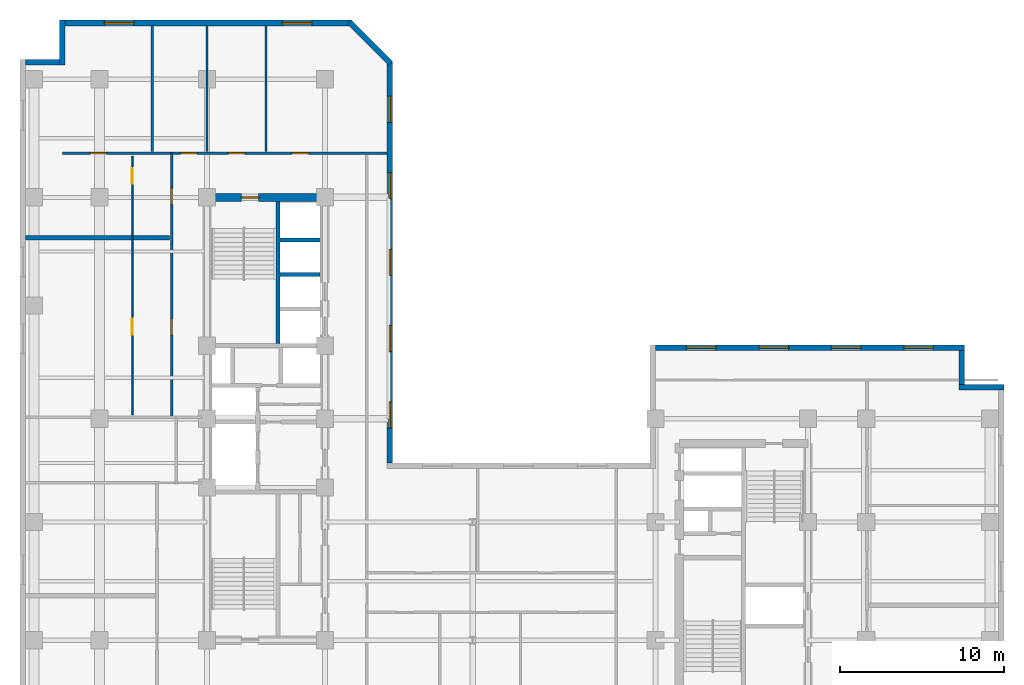
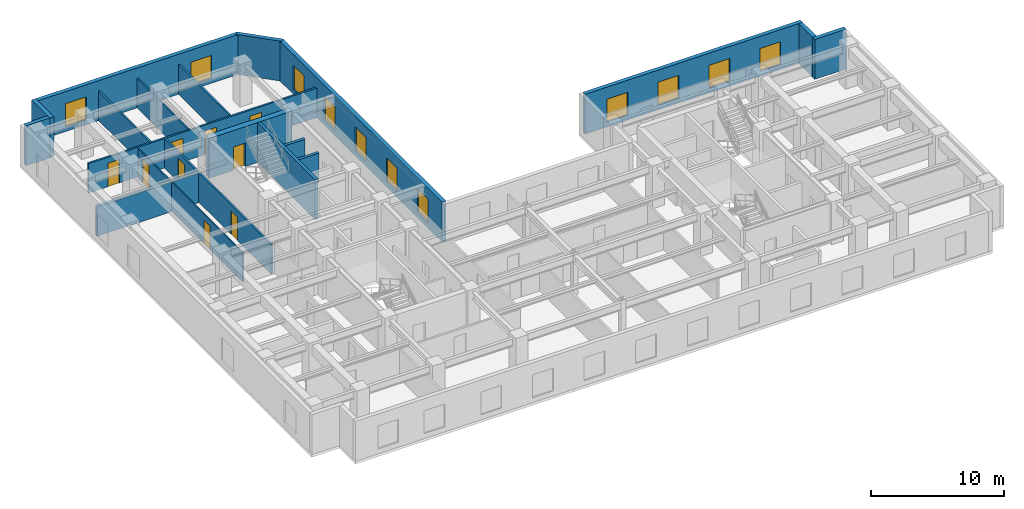
# One storey, part 6 of 10: 19 walls, 11 windows, 9 doors, 20 openings.
"""IFC4 building model written with IfcOpenShell, lengths in metres."""

from ifc_helpers import new_model, entity, si_unit, converted_unit, direction, frame, origin_with_axes, origin_2d_with_axis, place, context, subcontext, project, spatial, polyline, rectangle, outline, extrude, material, layer, layer_set, type_object, element, fill, save


model = new_model("IFC4")

# Units and contexts
model_context = context("Model", 3, precision=1e-05, world=origin_with_axes(), true_north=direction((0.0, 1.0)))
body_context = subcontext(model_context, "Body", "Model", "MODEL_VIEW")
ifc_project = project(units=[si_unit("LENGTHUNIT", "METRE"), si_unit("AREAUNIT", "SQUARE_METRE"), si_unit("VOLUMEUNIT", "CUBIC_METRE"), converted_unit("PLANEANGLEUNIT", "DEGREE", entity("IfcPlaneAngleMeasure", 0.017453292519943295), si_unit("PLANEANGLEUNIT", "RADIAN"), dimensions=[0, 0, 0, 0, 0, 0, 0]), si_unit("MASSUNIT", "GRAM", prefix="KILO"), si_unit("THERMODYNAMICTEMPERATUREUNIT", "KELVIN")], contexts=[model_context])

# Site, building, storey
site_placement = place(None, origin_with_axes())
site = spatial("IfcSite", under=ifc_project, at=site_placement, CompositionType="ELEMENT")
building_placement = place(site_placement, origin_with_axes())
building = spatial("IfcBuilding", under=site, at=building_placement, Name="Varnlund Millrace Tower", CompositionType="ELEMENT")
storey_placement = place(building_placement, frame((0.0, 0.0, 152.4), z_axis=(0.0, 0.0, 1.0), x_axis=(1.0, 0.0, 0.0)))
storey = spatial("IfcBuildingStorey", under=building, at=storey_placement, Name="L37", CompositionType="ELEMENT", Elevation=152.4)

# Wall, opening, door
ifc_material_1 = material(Name="Concrete C70/85", Category="concrete")
ifc_layer_1 = layer(ifc_material_1, 0.5, Name="Concrete C70/85")
ifc_layer_set_1 = layer_set([ifc_layer_1], Name="Concrete C70/85")
wall_type_1 = type_object("IfcWallType", Name="Type-CoreWall-Shear-500-C70", PredefinedType="SHEAR", material=ifc_layer_set_1)
wall_1_placement = place(storey_placement, frame((11.4, 37.8, 0.0), z_axis=(0.0, 0.0, 1.0), x_axis=(1.0, 0.0, 0.0)))
wall_1 = element("IfcWall", 1, at=wall_1_placement, inside=storey, type_object=wall_type_1, Name="Type-CoreWall-Shear-500-C70", PredefinedType="SHEAR", context=body_context, shape_type="SweptSolid", body=[
    extrude(outline(polyline([(0.0, -0.25), (7.2, -0.25), (7.2, 0.25), (0.0, 0.25), (0.0, -0.25)])), origin_with_axes(), (0.0, 0.0, 1.0), 3.66),
])
opening_1_placement = place(wall_1_placement, frame((2.625, 0.0, 0.0), z_axis=(0.0, 0.0, 1.0), x_axis=(1.0, 0.0, 0.0)))
opening_1 = element("IfcOpeningElement", 2, at=opening_1_placement, cuts=wall_1, Name="Opening L37:DR-STA2", PredefinedType="OPENING", context=body_context, shape_type="SweptSolid", body=[
    extrude(rectangle(XDim=1.05, YDim=0.52, at=origin_2d_with_axis()), origin_with_axes(), (0.0, 0.0, 1.0), 2.15),
])
ifc_material_2 = material(Name="Fire-rated hollow steel door", Category="steel")
door_type_1 = type_object("IfcDoorType", Name="Type-FireDoor-Stair-1050X2150", OperationType="NOTDEFINED", PredefinedType="DOOR", material=ifc_material_2)
door_1_placement = place(wall_1_placement, frame((2.625, 0.0, 0.0), z_axis=(0.0, 0.0, 1.0), x_axis=(1.0, 0.0, 0.0)))
door_1 = element("IfcDoor", 3, at=door_1_placement, inside=storey, type_object=door_type_1, Name="Type-FireDoor-Stair-1050X2150", OperationType="SINGLE_SWING_RIGHT", OverallHeight=2.15, OverallWidth=1.05, PredefinedType="DOOR", context=body_context, shape_type="SweptSolid", body=[
    extrude(rectangle(XDim=1.05, YDim=0.09, at=origin_2d_with_axis()), origin_with_axes(), (0.0, 0.0, 1.0), 2.15),
])
fill(opening_1, door_1)

# Wall, openings, windows
ifc_material_3 = material(Name="Precast concrete C50/60", Category="concrete")
ifc_layer_2 = layer(ifc_material_3, 0.34, Name="Precast concrete C50/60")
ifc_layer_set_2 = layer_set([ifc_layer_2], Name="Precast concrete C50/60")
wall_type_2 = type_object("IfcWallType", Name="Type-ExtWall-Precast-Upper-340", PredefinedType="SOLIDWALL", material=ifc_layer_set_2)
wall_2_placement = place(storey_placement, frame((38.74, 28.63, 0.0), z_axis=(0.0, 0.0, 1.0), x_axis=(1.0, 0.0, 0.0)))
wall_2 = element("IfcWall", 4, at=wall_2_placement, inside=storey, type_object=wall_type_2, Name="Type-ExtWall-Precast-Upper-340", PredefinedType="SOLIDWALL", context=body_context, shape_type="SweptSolid", body=[
    extrude(outline(polyline([(0.0, -0.17), (18.86, -0.17), (18.86, 0.17), (0.0, 0.17), (0.0, -0.17)])), origin_with_axes(), (0.0, 0.0, 1.0), 3.66),
])
opening_2_placement = place(wall_2_placement, frame((2.808, 0.0, 0.45), z_axis=(0.0, 0.0, 1.0), x_axis=(1.0, 0.0, 0.0)))
opening_2 = element("IfcOpeningElement", 5, at=opening_2_placement, cuts=wall_2, Name="Opening L37:WN-01", PredefinedType="OPENING", context=body_context, shape_type="SweptSolid", body=[
    extrude(rectangle(XDim=1.8, YDim=0.36, at=origin_2d_with_axis()), origin_with_axes(), (0.0, 0.0, 1.0), 2.1),
])
opening_3_placement = place(wall_2_placement, frame((7.222, 0.0, 0.45), z_axis=(0.0, 0.0, 1.0), x_axis=(1.0, 0.0, 0.0)))
opening_3 = element("IfcOpeningElement", 6, at=opening_3_placement, cuts=wall_2, Name="Opening L37:WN-02", PredefinedType="OPENING", context=body_context, shape_type="SweptSolid", body=[
    extrude(rectangle(XDim=1.8, YDim=0.36, at=origin_2d_with_axis()), origin_with_axes(), (0.0, 0.0, 1.0), 2.1),
])
opening_4_placement = place(wall_2_placement, frame((11.637, 0.0, 0.45), z_axis=(0.0, 0.0, 1.0), x_axis=(1.0, 0.0, 0.0)))
opening_4 = element("IfcOpeningElement", 7, at=opening_4_placement, cuts=wall_2, Name="Opening L37:WN-03", PredefinedType="OPENING", context=body_context, shape_type="SweptSolid", body=[
    extrude(rectangle(XDim=1.8, YDim=0.36, at=origin_2d_with_axis()), origin_with_axes(), (0.0, 0.0, 1.0), 2.1),
])
opening_5_placement = place(wall_2_placement, frame((16.053, 0.0, 0.45), z_axis=(0.0, 0.0, 1.0), x_axis=(1.0, 0.0, 0.0)))
opening_5 = element("IfcOpeningElement", 8, at=opening_5_placement, cuts=wall_2, Name="Opening L37:WN-04", PredefinedType="OPENING", context=body_context, shape_type="SweptSolid", body=[
    extrude(rectangle(XDim=1.8, YDim=0.36, at=origin_2d_with_axis()), origin_with_axes(), (0.0, 0.0, 1.0), 2.1),
])
ifc_material_4 = material(Name="Argon low-e triple glazing in thermally broken bronze frame", Category="glass")
window_type_1 = type_object("IfcWindowType", Name="Type-Window-Punched-1800X2100", PartitioningType="SINGLE_PANEL", PredefinedType="WINDOW", material=ifc_material_4)
window_1_placement = place(wall_2_placement, frame((2.808, 0.0, 0.45), z_axis=(0.0, 0.0, 1.0), x_axis=(1.0, 0.0, 0.0)))
window_1 = element("IfcWindow", 9, at=window_1_placement, inside=storey, type_object=window_type_1, Name="Type-Window-Punched-1800X2100", OverallHeight=2.1, OverallWidth=1.8, PredefinedType="WINDOW", context=body_context, shape_type="SweptSolid", body=[
    extrude(rectangle(XDim=1.8, YDim=0.09, at=origin_2d_with_axis()), origin_with_axes(), (0.0, 0.0, 1.0), 2.1),
])
fill(opening_2, window_1)
window_2_placement = place(wall_2_placement, frame((7.222, 0.0, 0.45), z_axis=(0.0, 0.0, 1.0), x_axis=(1.0, 0.0, 0.0)))
window_2 = element("IfcWindow", 10, at=window_2_placement, inside=storey, type_object=window_type_1, Name="Type-Window-Punched-1800X2100", OverallHeight=2.1, OverallWidth=1.8, PredefinedType="WINDOW", context=body_context, shape_type="SweptSolid", body=[
    extrude(rectangle(XDim=1.8, YDim=0.09, at=origin_2d_with_axis()), origin_with_axes(), (0.0, 0.0, 1.0), 2.1),
])
fill(opening_3, window_2)
window_3_placement = place(wall_2_placement, frame((11.637, 0.0, 0.45), z_axis=(0.0, 0.0, 1.0), x_axis=(1.0, 0.0, 0.0)))
window_3 = element("IfcWindow", 11, at=window_3_placement, inside=storey, type_object=window_type_1, Name="Type-Window-Punched-1800X2100", OverallHeight=2.1, OverallWidth=1.8, PredefinedType="WINDOW", context=body_context, shape_type="SweptSolid", body=[
    extrude(rectangle(XDim=1.8, YDim=0.09, at=origin_2d_with_axis()), origin_with_axes(), (0.0, 0.0, 1.0), 2.1),
])
fill(opening_4, window_3)
window_4_placement = place(wall_2_placement, frame((16.053, 0.0, 0.45), z_axis=(0.0, 0.0, 1.0), x_axis=(1.0, 0.0, 0.0)))
window_4 = element("IfcWindow", 12, at=window_4_placement, inside=storey, type_object=window_type_1, Name="Type-Window-Punched-1800X2100", OverallHeight=2.1, OverallWidth=1.8, PredefinedType="WINDOW", context=body_context, shape_type="SweptSolid", body=[
    extrude(rectangle(XDim=1.8, YDim=0.09, at=origin_2d_with_axis()), origin_with_axes(), (0.0, 0.0, 1.0), 2.1),
])
fill(opening_5, window_4)

# Walls
wall_3_placement = place(storey_placement, frame((57.43, 28.46, 0.0), z_axis=(0.0, 0.0, 1.0), x_axis=(0.0, -1.0, 0.0)))
element("IfcWall", 13, at=wall_3_placement, inside=storey, type_object=wall_type_2, Name="Type-ExtWall-Precast-Upper-340", PredefinedType="SOLIDWALL", context=body_context, shape_type="SweptSolid", body=[
    extrude(outline(polyline([(0.0, -0.17), (2.06, -0.17), (2.06, 0.17), (0.0, 0.17), (0.0, -0.17)])), origin_with_axes(), (0.0, 0.0, 1.0), 3.66),
])
wall_4_placement = place(storey_placement, frame((57.26, 26.23, 0.0), z_axis=(0.0, 0.0, 1.0), x_axis=(1.0, 0.0, 0.0)))
element("IfcWall", 14, at=wall_4_placement, inside=storey, type_object=wall_type_2, Name="Type-ExtWall-Precast-Upper-340", PredefinedType="SOLIDWALL", context=body_context, shape_type="SweptSolid", body=[
    extrude(outline(polyline([(0.0, -0.17), (2.74, -0.17), (2.74, 0.17), (0.0, 0.17), (0.0, -0.17)])), origin_with_axes(), (0.0, 0.0, 1.0), 3.66),
])
wall_5_placement = place(storey_placement, frame((0.34, 46.03, 0.0), z_axis=(0.0, 0.0, 1.0), x_axis=(1.0, 0.0, 0.0)))
element("IfcWall", 15, at=wall_5_placement, inside=storey, type_object=wall_type_2, Name="Type-ExtWall-Precast-Upper-340", PredefinedType="SOLIDWALL", context=body_context, shape_type="SweptSolid", body=[
    extrude(outline(polyline([(0.0, -0.17), (2.06, -0.17), (2.06, 0.17), (0.0, 0.17), (0.0, -0.17)])), origin_with_axes(), (0.0, 0.0, 1.0), 3.66),
])
wall_6_placement = place(storey_placement, frame((2.57, 45.86, 0.0), z_axis=(0.0, 0.0, 1.0), x_axis=(0.0, 1.0, 0.0)))
element("IfcWall", 16, at=wall_6_placement, inside=storey, type_object=wall_type_2, Name="Type-ExtWall-Precast-Upper-340", PredefinedType="SOLIDWALL", context=body_context, shape_type="SweptSolid", body=[
    extrude(outline(polyline([(0.0, -0.17), (2.74, -0.17), (2.74, 0.17), (0.0, 0.17), (0.0, -0.17)])), origin_with_axes(), (0.0, 0.0, 1.0), 3.66),
])

# Wall, openings, windows
wall_7_placement = place(storey_placement, frame((2.74, 48.43, 0.0), z_axis=(0.0, 0.0, 1.0), x_axis=(1.0, 0.0, 0.0)))
wall_7 = element("IfcWall", 17, at=wall_7_placement, inside=storey, type_object=wall_type_2, Name="Type-ExtWall-Precast-Upper-340", PredefinedType="SOLIDWALL", context=body_context, shape_type="SweptSolid", body=[
    extrude(outline(polyline([(0.0, -0.17), (17.467, -0.17), (17.467, 0.17), (0.0, 0.17), (0.0, -0.17)])), origin_with_axes(), (0.0, 0.0, 1.0), 3.66),
])
opening_6_placement = place(wall_7_placement, frame((3.311, 0.0, 0.45), z_axis=(0.0, 0.0, 1.0), x_axis=(1.0, 0.0, 0.0)))
opening_6 = element("IfcOpeningElement", 18, at=opening_6_placement, cuts=wall_7, Name="Opening L37:WN-25", PredefinedType="OPENING", context=body_context, shape_type="SweptSolid", body=[
    extrude(rectangle(XDim=1.8, YDim=0.36, at=origin_2d_with_axis()), origin_with_axes(), (0.0, 0.0, 1.0), 2.1),
])
opening_7_placement = place(wall_7_placement, frame((14.156, 0.0, 0.45), z_axis=(0.0, 0.0, 1.0), x_axis=(1.0, 0.0, 0.0)))
opening_7 = element("IfcOpeningElement", 19, at=opening_7_placement, cuts=wall_7, Name="Opening L37:WN-26", PredefinedType="OPENING", context=body_context, shape_type="SweptSolid", body=[
    extrude(rectangle(XDim=1.8, YDim=0.36, at=origin_2d_with_axis()), origin_with_axes(), (0.0, 0.0, 1.0), 2.1),
])
window_5_placement = place(wall_7_placement, frame((3.311, 0.0, 0.45), z_axis=(0.0, 0.0, 1.0), x_axis=(1.0, 0.0, 0.0)))
window_5 = element("IfcWindow", 20, at=window_5_placement, inside=storey, type_object=window_type_1, Name="Type-Window-Punched-1800X2100", OverallHeight=2.1, OverallWidth=1.8, PredefinedType="WINDOW", context=body_context, shape_type="SweptSolid", body=[
    extrude(rectangle(XDim=1.8, YDim=0.09, at=origin_2d_with_axis()), origin_with_axes(), (0.0, 0.0, 1.0), 2.1),
])
fill(opening_6, window_5)
window_6_placement = place(wall_7_placement, frame((14.156, 0.0, 0.45), z_axis=(0.0, 0.0, 1.0), x_axis=(1.0, 0.0, 0.0)))
window_6 = element("IfcWindow", 21, at=window_6_placement, inside=storey, type_object=window_type_1, Name="Type-Window-Punched-1800X2100", OverallHeight=2.1, OverallWidth=1.8, PredefinedType="WINDOW", context=body_context, shape_type="SweptSolid", body=[
    extrude(rectangle(XDim=1.8, YDim=0.09, at=origin_2d_with_axis()), origin_with_axes(), (0.0, 0.0, 1.0), 2.1),
])
fill(opening_7, window_6)

# Wall
wall_8_placement = place(storey_placement, frame((20.073, 48.494, 0.0), z_axis=(0.0, 0.0, 1.0), x_axis=(0.707107, -0.707107, 0.0)))
element("IfcWall", 22, at=wall_8_placement, inside=storey, type_object=wall_type_2, Name="Type-ExtWall-Precast-Upper-340", PredefinedType="SOLIDWALL", context=body_context, shape_type="SweptSolid", body=[
    extrude(outline(polyline([(0.0, -0.17), (3.583617, -0.17), (3.583617, 0.17), (0.0, 0.17), (0.0, -0.17)])), origin_with_axes(), (0.0, 0.0, 1.0), 3.66),
])

# Wall, openings, windows
wall_9_placement = place(storey_placement, frame((22.557, 46.1, 0.0), z_axis=(0.0, 0.0, 1.0), x_axis=(0.0, -1.0, 0.0)))
wall_9 = element("IfcWall", 23, at=wall_9_placement, inside=storey, type_object=wall_type_2, Name="Type-ExtWall-Precast-Upper-340", PredefinedType="SOLIDWALL", context=body_context, shape_type="SweptSolid", body=[
    extrude(outline(polyline([(0.0, -0.17), (24.5, -0.17), (24.5, 0.17), (0.0, 0.17), (0.0, -0.17)])), origin_with_axes(), (0.0, 0.0, 1.0), 3.66),
])
opening_8_placement = place(wall_9_placement, frame((2.93, 0.0, 0.45), z_axis=(0.0, 0.0, 1.0), x_axis=(1.0, 0.0, 0.0)))
opening_8 = element("IfcOpeningElement", 24, at=opening_8_placement, cuts=wall_9, Name="Opening L37:WN-27", PredefinedType="OPENING", context=body_context, shape_type="SweptSolid", body=[
    extrude(rectangle(XDim=1.6, YDim=0.36, at=origin_2d_with_axis()), origin_with_axes(), (0.0, 0.0, 1.0), 2.2),
])
opening_9_placement = place(wall_9_placement, frame((7.59, 0.0, 0.45), z_axis=(0.0, 0.0, 1.0), x_axis=(1.0, 0.0, 0.0)))
opening_9 = element("IfcOpeningElement", 25, at=opening_9_placement, cuts=wall_9, Name="Opening L37:WN-28", PredefinedType="OPENING", context=body_context, shape_type="SweptSolid", body=[
    extrude(rectangle(XDim=1.6, YDim=0.36, at=origin_2d_with_axis()), origin_with_axes(), (0.0, 0.0, 1.0), 2.2),
])
opening_10_placement = place(wall_9_placement, frame((12.25, 0.0, 0.45), z_axis=(0.0, 0.0, 1.0), x_axis=(1.0, 0.0, 0.0)))
opening_10 = element("IfcOpeningElement", 26, at=opening_10_placement, cuts=wall_9, Name="Opening L37:WN-29", PredefinedType="OPENING", context=body_context, shape_type="SweptSolid", body=[
    extrude(rectangle(XDim=1.6, YDim=0.36, at=origin_2d_with_axis()), origin_with_axes(), (0.0, 0.0, 1.0), 2.2),
])
opening_11_placement = place(wall_9_placement, frame((16.91, 0.0, 0.45), z_axis=(0.0, 0.0, 1.0), x_axis=(1.0, 0.0, 0.0)))
opening_11 = element("IfcOpeningElement", 27, at=opening_11_placement, cuts=wall_9, Name="Opening L37:WN-30", PredefinedType="OPENING", context=body_context, shape_type="SweptSolid", body=[
    extrude(rectangle(XDim=1.6, YDim=0.36, at=origin_2d_with_axis()), origin_with_axes(), (0.0, 0.0, 1.0), 2.2),
])
opening_12_placement = place(wall_9_placement, frame((21.57, 0.0, 0.45), z_axis=(0.0, 0.0, 1.0), x_axis=(1.0, 0.0, 0.0)))
opening_12 = element("IfcOpeningElement", 28, at=opening_12_placement, cuts=wall_9, Name="Opening L37:WN-31", PredefinedType="OPENING", context=body_context, shape_type="SweptSolid", body=[
    extrude(rectangle(XDim=1.6, YDim=0.36, at=origin_2d_with_axis()), origin_with_axes(), (0.0, 0.0, 1.0), 2.2),
])
window_type_2 = type_object("IfcWindowType", Name="Type-Window-Slot-1600X2200", PartitioningType="SINGLE_PANEL", PredefinedType="WINDOW", material=ifc_material_4)
window_7_placement = place(wall_9_placement, frame((2.93, 0.0, 0.45), z_axis=(0.0, 0.0, 1.0), x_axis=(1.0, 0.0, 0.0)))
window_7 = element("IfcWindow", 29, at=window_7_placement, inside=storey, type_object=window_type_2, Name="Type-Window-Slot-1600X2200", OverallHeight=2.2, OverallWidth=1.6, PredefinedType="WINDOW", context=body_context, shape_type="SweptSolid", body=[
    extrude(rectangle(XDim=1.6, YDim=0.09, at=origin_2d_with_axis()), origin_with_axes(), (0.0, 0.0, 1.0), 2.2),
])
fill(opening_8, window_7)
window_8_placement = place(wall_9_placement, frame((7.59, 0.0, 0.45), z_axis=(0.0, 0.0, 1.0), x_axis=(1.0, 0.0, 0.0)))
window_8 = element("IfcWindow", 30, at=window_8_placement, inside=storey, type_object=window_type_2, Name="Type-Window-Slot-1600X2200", OverallHeight=2.2, OverallWidth=1.6, PredefinedType="WINDOW", context=body_context, shape_type="SweptSolid", body=[
    extrude(rectangle(XDim=1.6, YDim=0.09, at=origin_2d_with_axis()), origin_with_axes(), (0.0, 0.0, 1.0), 2.2),
])
fill(opening_9, window_8)
window_9_placement = place(wall_9_placement, frame((12.25, 0.0, 0.45), z_axis=(0.0, 0.0, 1.0), x_axis=(1.0, 0.0, 0.0)))
window_9 = element("IfcWindow", 31, at=window_9_placement, inside=storey, type_object=window_type_2, Name="Type-Window-Slot-1600X2200", OverallHeight=2.2, OverallWidth=1.6, PredefinedType="WINDOW", context=body_context, shape_type="SweptSolid", body=[
    extrude(rectangle(XDim=1.6, YDim=0.09, at=origin_2d_with_axis()), origin_with_axes(), (0.0, 0.0, 1.0), 2.2),
])
fill(opening_10, window_9)
window_10_placement = place(wall_9_placement, frame((16.91, 0.0, 0.45), z_axis=(0.0, 0.0, 1.0), x_axis=(1.0, 0.0, 0.0)))
window_10 = element("IfcWindow", 32, at=window_10_placement, inside=storey, type_object=window_type_2, Name="Type-Window-Slot-1600X2200", OverallHeight=2.2, OverallWidth=1.6, PredefinedType="WINDOW", context=body_context, shape_type="SweptSolid", body=[
    extrude(rectangle(XDim=1.6, YDim=0.09, at=origin_2d_with_axis()), origin_with_axes(), (0.0, 0.0, 1.0), 2.2),
])
fill(opening_11, window_10)
window_11_placement = place(wall_9_placement, frame((21.57, 0.0, 0.45), z_axis=(0.0, 0.0, 1.0), x_axis=(1.0, 0.0, 0.0)))
window_11 = element("IfcWindow", 33, at=window_11_placement, inside=storey, type_object=window_type_2, Name="Type-Window-Slot-1600X2200", OverallHeight=2.2, OverallWidth=1.6, PredefinedType="WINDOW", context=body_context, shape_type="SweptSolid", body=[
    extrude(rectangle(XDim=1.6, YDim=0.09, at=origin_2d_with_axis()), origin_with_axes(), (0.0, 0.0, 1.0), 2.2),
])
fill(opening_12, window_11)

# Wall
ifc_material_5 = material(Name="Double-stud STC-60 conference acoustic partition", Category="gypsum")
ifc_layer_3 = layer(ifc_material_5, 0.28, Name="Double-stud STC-60 conference acoustic partition")
ifc_layer_set_3 = layer_set([ifc_layer_3], Name="Double-stud STC-60 conference acoustic partition")
wall_type_3 = type_object("IfcWallType", Name="Type-Partition-Acoustic-280", PredefinedType="PARTITIONING", material=ifc_layer_set_3)
wall_10_placement = place(storey_placement, frame((0.335, 35.34, 0.0), z_axis=(0.0, 0.0, 1.0), x_axis=(1.0, 0.0, 0.0)))
element("IfcWall", 34, at=wall_10_placement, inside=storey, type_object=wall_type_3, Name="Type-Partition-Acoustic-280", PredefinedType="PARTITIONING", context=body_context, shape_type="SweptSolid", body=[
    extrude(outline(polyline([(0.0, -0.14), (8.795, -0.14), (8.795, 0.14), (0.0, 0.14), (0.0, -0.14)])), origin_with_axes(), (0.0, 0.0, 1.0), 2.7),
])

# Wall, openings, doors
ifc_material_6 = material(Name="Fire-rated gypsum board on cold-formed steel framing", Category="steel")
ifc_layer_4 = layer(ifc_material_6, 0.16, Name="Fire-rated gypsum board on cold-formed steel framing")
ifc_layer_set_4 = layer_set([ifc_layer_4], Name="Fire-rated gypsum board on cold-formed steel framing")
wall_type_4 = type_object("IfcWallType", Name="Type-Partition-Corridor-160", PredefinedType="PARTITIONING", material=ifc_layer_set_4)
wall_11_placement = place(storey_placement, frame((2.6, 40.5, 0.0), z_axis=(0.0, 0.0, 1.0), x_axis=(1.0, 0.0, 0.0)))
wall_11 = element("IfcWall", 35, at=wall_11_placement, inside=storey, type_object=wall_type_4, Name="Type-Partition-Corridor-160", PredefinedType="PARTITIONING", context=body_context, shape_type="SweptSolid", body=[
    extrude(outline(polyline([(0.0, -0.08), (19.792, -0.08), (19.792, 0.08), (0.0, 0.08), (0.0, -0.08)])), origin_with_axes(), (0.0, 0.0, 1.0), 2.7),
])
opening_13_placement = place(wall_11_placement, frame((2.174, 0.0, 0.0), z_axis=(0.0, 0.0, 1.0), x_axis=(1.0, 0.0, 0.0)))
opening_13 = element("IfcOpeningElement", 36, at=opening_13_placement, cuts=wall_11, Name="Opening L37:DR-WAN-01", PredefinedType="OPENING", context=body_context, shape_type="SweptSolid", body=[
    extrude(rectangle(XDim=1.0, YDim=0.18, at=origin_2d_with_axis()), origin_with_axes(), (0.0, 0.0, 1.0), 2.15),
])
opening_14_placement = place(wall_11_placement, frame((7.699, 0.0, 0.0), z_axis=(0.0, 0.0, 1.0), x_axis=(1.0, 0.0, 0.0)))
opening_14 = element("IfcOpeningElement", 37, at=opening_14_placement, cuts=wall_11, Name="Opening L37:DR-WAN-02", PredefinedType="OPENING", context=body_context, shape_type="SweptSolid", body=[
    extrude(rectangle(XDim=1.0, YDim=0.18, at=origin_2d_with_axis()), origin_with_axes(), (0.0, 0.0, 1.0), 2.15),
])
opening_15_placement = place(wall_11_placement, frame((10.6005, 0.0, 0.0), z_axis=(0.0, 0.0, 1.0), x_axis=(1.0, 0.0, 0.0)))
opening_15 = element("IfcOpeningElement", 38, at=opening_15_placement, cuts=wall_11, Name="Opening L37:DR-WAN-03", PredefinedType="OPENING", context=body_context, shape_type="SweptSolid", body=[
    extrude(rectangle(XDim=1.0, YDim=0.18, at=origin_2d_with_axis()), origin_with_axes(), (0.0, 0.0, 1.0), 2.15),
])
opening_16_placement = place(wall_11_placement, frame((14.499, 0.0, 0.0), z_axis=(0.0, 0.0, 1.0), x_axis=(1.0, 0.0, 0.0)))
opening_16 = element("IfcOpeningElement", 39, at=opening_16_placement, cuts=wall_11, Name="Opening L37:DR-WAN-04", PredefinedType="OPENING", context=body_context, shape_type="SweptSolid", body=[
    extrude(rectangle(XDim=1.0, YDim=0.18, at=origin_2d_with_axis()), origin_with_axes(), (0.0, 0.0, 1.0), 2.15),
])
ifc_material_7 = material(Name="Solid-core white oak and bronze frame door")
door_type_2 = type_object("IfcDoorType", Name="Type-IntDoor-Office-1000X2150", OperationType="NOTDEFINED", PredefinedType="DOOR", material=ifc_material_7)
door_2_placement = place(wall_11_placement, frame((2.174, 0.0, 0.0), z_axis=(0.0, 0.0, 1.0), x_axis=(1.0, 0.0, 0.0)))
door_2 = element("IfcDoor", 40, at=door_2_placement, inside=storey, type_object=door_type_2, Name="Type-IntDoor-Office-1000X2150", OperationType="SINGLE_SWING_LEFT", OverallHeight=2.15, OverallWidth=1.0, PredefinedType="DOOR", context=body_context, shape_type="SweptSolid", body=[
    extrude(rectangle(XDim=1.0, YDim=0.09, at=origin_2d_with_axis()), origin_with_axes(), (0.0, 0.0, 1.0), 2.15),
])
fill(opening_13, door_2)
door_3_placement = place(wall_11_placement, frame((7.699, 0.0, 0.0), z_axis=(0.0, 0.0, 1.0), x_axis=(1.0, 0.0, 0.0)))
door_3 = element("IfcDoor", 41, at=door_3_placement, inside=storey, type_object=door_type_2, Name="Type-IntDoor-Office-1000X2150", OperationType="SINGLE_SWING_RIGHT", OverallHeight=2.15, OverallWidth=1.0, PredefinedType="DOOR", context=body_context, shape_type="SweptSolid", body=[
    extrude(rectangle(XDim=1.0, YDim=0.09, at=origin_2d_with_axis()), origin_with_axes(), (0.0, 0.0, 1.0), 2.15),
])
fill(opening_14, door_3)
door_4_placement = place(wall_11_placement, frame((10.6005, 0.0, 0.0), z_axis=(0.0, 0.0, 1.0), x_axis=(1.0, 0.0, 0.0)))
door_4 = element("IfcDoor", 42, at=door_4_placement, inside=storey, type_object=door_type_2, Name="Type-IntDoor-Office-1000X2150", OperationType="SINGLE_SWING_LEFT", OverallHeight=2.15, OverallWidth=1.0, PredefinedType="DOOR", context=body_context, shape_type="SweptSolid", body=[
    extrude(rectangle(XDim=1.0, YDim=0.09, at=origin_2d_with_axis()), origin_with_axes(), (0.0, 0.0, 1.0), 2.15),
])
fill(opening_15, door_4)
door_5_placement = place(wall_11_placement, frame((14.499, 0.0, 0.0), z_axis=(0.0, 0.0, 1.0), x_axis=(1.0, 0.0, 0.0)))
door_5 = element("IfcDoor", 43, at=door_5_placement, inside=storey, type_object=door_type_2, Name="Type-IntDoor-Office-1000X2150", OperationType="SINGLE_SWING_RIGHT", OverallHeight=2.15, OverallWidth=1.0, PredefinedType="DOOR", context=body_context, shape_type="SweptSolid", body=[
    extrude(rectangle(XDim=1.0, YDim=0.09, at=origin_2d_with_axis()), origin_with_axes(), (0.0, 0.0, 1.0), 2.15),
])
fill(opening_16, door_5)

wall_12_placement = place(storey_placement, frame((9.25, 24.4, 0.0), z_axis=(0.0, 0.0, 1.0), x_axis=(0.0, 1.0, 0.0)))
wall_12 = element("IfcWall", 44, at=wall_12_placement, inside=storey, type_object=wall_type_4, Name="Type-Partition-Corridor-160", PredefinedType="PARTITIONING", context=body_context, shape_type="SweptSolid", body=[
    extrude(outline(polyline([(0.0, -0.08), (16.1, -0.08), (16.1, 0.08), (0.0, 0.08), (0.0, -0.08)])), origin_with_axes(), (0.0, 0.0, 1.0), 2.7),
])
opening_17_placement = place(wall_12_placement, frame((5.51, 0.0, 0.0), z_axis=(0.0, 0.0, 1.0), x_axis=(1.0, 0.0, 0.0)))
opening_17 = element("IfcOpeningElement", 45, at=opening_17_placement, cuts=wall_12, Name="Opening L37:DR-WN-01", PredefinedType="OPENING", context=body_context, shape_type="SweptSolid", body=[
    extrude(rectangle(XDim=1.0, YDim=0.18, at=origin_2d_with_axis()), origin_with_axes(), (0.0, 0.0, 1.0), 2.15),
])
opening_18_placement = place(wall_12_placement, frame((13.455, 0.0, 0.0), z_axis=(0.0, 0.0, 1.0), x_axis=(1.0, 0.0, 0.0)))
opening_18 = element("IfcOpeningElement", 46, at=opening_18_placement, cuts=wall_12, Name="Opening L37:DR-WN-02", PredefinedType="OPENING", context=body_context, shape_type="SweptSolid", body=[
    extrude(rectangle(XDim=1.0, YDim=0.18, at=origin_2d_with_axis()), origin_with_axes(), (0.0, 0.0, 1.0), 2.15),
])
door_6_placement = place(wall_12_placement, frame((5.51, 0.0, 0.0), z_axis=(0.0, 0.0, 1.0), x_axis=(1.0, 0.0, 0.0)))
door_6 = element("IfcDoor", 47, at=door_6_placement, inside=storey, type_object=door_type_2, Name="Type-IntDoor-Office-1000X2150", OperationType="SINGLE_SWING_LEFT", OverallHeight=2.15, OverallWidth=1.0, PredefinedType="DOOR", context=body_context, shape_type="SweptSolid", body=[
    extrude(rectangle(XDim=1.0, YDim=0.09, at=origin_2d_with_axis()), origin_with_axes(), (0.0, 0.0, 1.0), 2.15),
])
fill(opening_17, door_6)
door_7_placement = place(wall_12_placement, frame((13.455, 0.0, 0.0), z_axis=(0.0, 0.0, 1.0), x_axis=(1.0, 0.0, 0.0)))
door_7 = element("IfcDoor", 48, at=door_7_placement, inside=storey, type_object=door_type_2, Name="Type-IntDoor-Office-1000X2150", OperationType="SINGLE_SWING_RIGHT", OverallHeight=2.15, OverallWidth=1.0, PredefinedType="DOOR", context=body_context, shape_type="SweptSolid", body=[
    extrude(rectangle(XDim=1.0, YDim=0.09, at=origin_2d_with_axis()), origin_with_axes(), (0.0, 0.0, 1.0), 2.15),
])
fill(opening_18, door_7)

# Walls
ifc_material_8 = material(Name="Acoustic STC-50 gypsum board partition", Category="gypsum")
ifc_layer_5 = layer(ifc_material_8, 0.15, Name="Acoustic STC-50 gypsum board partition")
ifc_layer_set_5 = layer_set([ifc_layer_5], Name="Acoustic STC-50 gypsum board partition")
wall_type_5 = type_object("IfcWallType", Name="Type-Partition-Demising-150", PredefinedType="PARTITIONING", material=ifc_layer_set_5)
for number, where, z_axis, x_axis, name in (
    (49, (8.077, 40.6, 0.0), (0.0, 0.0, 1.0), (0.0, 1.0, 0.0), "Type-Partition-Demising-150"),
    (50, (15.001, 40.6, 0.0), (0.0, 0.0, 1.0), (0.0, 1.0, 0.0), "Type-Partition-Demising-150"),
):
    element("IfcWall", number, at=place(storey_placement, frame(where, z_axis=z_axis, x_axis=x_axis)), inside=storey, type_object=wall_type_5, Name=name, PredefinedType="PARTITIONING", context=body_context, shape_type="SweptSolid", body=[
        extrude(outline(polyline([(0.0, -0.075), (7.665, -0.075), (7.665, 0.075), (0.0, 0.075), (0.0, -0.075)])), origin_with_axes(), (0.0, 0.0, 1.0), 2.7),
    ])

# Wall, openings, doors
ifc_material_9 = material(Name="Architectural bronze and acoustic glass office front", Category="glass")
ifc_layer_6 = layer(ifc_material_9, 0.1, Name="Architectural bronze and acoustic glass office front")
ifc_layer_set_6 = layer_set([ifc_layer_6], Name="Architectural bronze and acoustic glass office front")
wall_type_6 = type_object("IfcWallType", Name="Type-Partition-Glazed-100", PredefinedType="PARTITIONING", material=ifc_layer_set_6)
wall_13_placement = place(storey_placement, frame((6.85, 24.55, 0.0), z_axis=(0.0, 0.0, 1.0), x_axis=(0.0, 1.0, 0.0)))
wall_13 = element("IfcWall", 51, at=wall_13_placement, inside=storey, type_object=wall_type_6, Name="Type-Partition-Glazed-100", PredefinedType="PARTITIONING", context=body_context, shape_type="SweptSolid", body=[
    extrude(outline(polyline([(0.0, -0.05), (15.75, -0.05), (15.75, 0.05), (0.0, 0.05), (0.0, -0.05)])), origin_with_axes(), (0.0, 0.0, 1.0), 2.7),
])
opening_19_placement = place(wall_13_placement, frame((5.36, 0.0, 0.0), z_axis=(0.0, 0.0, 1.0), x_axis=(1.0, 0.0, 0.0)))
opening_19 = element("IfcOpeningElement", 52, at=opening_19_placement, cuts=wall_13, Name="Opening L37:DR-WN-S01", PredefinedType="OPENING", context=body_context, shape_type="SweptSolid", body=[
    extrude(rectangle(XDim=0.95, YDim=0.12, at=origin_2d_with_axis()), origin_with_axes(), (0.0, 0.0, 1.0), 2.15),
])
opening_20_placement = place(wall_13_placement, frame((14.555, 0.0, 0.0), z_axis=(0.0, 0.0, 1.0), x_axis=(1.0, 0.0, 0.0)))
opening_20 = element("IfcOpeningElement", 53, at=opening_20_placement, cuts=wall_13, Name="Opening L37:DR-WN-S02", PredefinedType="OPENING", context=body_context, shape_type="SweptSolid", body=[
    extrude(rectangle(XDim=0.95, YDim=0.12, at=origin_2d_with_axis()), origin_with_axes(), (0.0, 0.0, 1.0), 2.15),
])
ifc_material_10 = material(Name="Solid-core acoustic office door")
door_type_3 = type_object("IfcDoorType", Name="Type-IntDoor-Tenant-950X2150", OperationType="NOTDEFINED", PredefinedType="DOOR", material=ifc_material_10)
door_8_placement = place(wall_13_placement, frame((5.36, 0.0, 0.0), z_axis=(0.0, 0.0, 1.0), x_axis=(1.0, 0.0, 0.0)))
door_8 = element("IfcDoor", 54, at=door_8_placement, inside=storey, type_object=door_type_3, Name="Type-IntDoor-Tenant-950X2150", OperationType="SINGLE_SWING_LEFT", OverallHeight=2.15, OverallWidth=0.95, PredefinedType="DOOR", context=body_context, shape_type="SweptSolid", body=[
    extrude(rectangle(XDim=0.95, YDim=0.06, at=origin_2d_with_axis()), origin_with_axes(), (0.0, 0.0, 1.0), 2.15),
])
fill(opening_19, door_8)
door_9_placement = place(wall_13_placement, frame((14.555, 0.0, 0.0), z_axis=(0.0, 0.0, 1.0), x_axis=(1.0, 0.0, 0.0)))
door_9 = element("IfcDoor", 55, at=door_9_placement, inside=storey, type_object=door_type_3, Name="Type-IntDoor-Tenant-950X2150", OperationType="SINGLE_SWING_LEFT", OverallHeight=2.15, OverallWidth=0.95, PredefinedType="DOOR", context=body_context, shape_type="SweptSolid", body=[
    extrude(rectangle(XDim=0.95, YDim=0.06, at=origin_2d_with_axis()), origin_with_axes(), (0.0, 0.0, 1.0), 2.15),
])
fill(opening_20, door_9)

# Walls
ifc_material_11 = material(Name="Gypsum board tenant partition", Category="gypsum")
ifc_layer_7 = layer(ifc_material_11, 0.125, Name="Gypsum board tenant partition")
ifc_layer_set_7 = layer_set([ifc_layer_7], Name="Gypsum board tenant partition")
wall_type_7 = type_object("IfcWallType", Name="Type-Partition-Tenant-125", PredefinedType="PARTITIONING", material=ifc_layer_set_7)
wall_14_placement = place(storey_placement, frame((11.4, 40.6, 0.0), z_axis=(0.0, 0.0, 1.0), x_axis=(0.0, 1.0, 0.0)))
element("IfcWall", 56, at=wall_14_placement, inside=storey, type_object=wall_type_7, Name="Type-Partition-Tenant-125", PredefinedType="PARTITIONING", context=body_context, shape_type="SweptSolid", body=[
    extrude(outline(polyline([(0.0, -0.0625), (7.665, -0.0625), (7.665, 0.0625), (0.0, 0.0625), (0.0, -0.0625)])), origin_with_axes(), (0.0, 0.0, 1.0), 2.7),
])
ifc_material_12 = material(Name="Concrete C60/75", Category="concrete")
ifc_layer_8 = layer(ifc_material_12, 0.25, Name="Concrete C60/75")
ifc_layer_set_8 = layer_set([ifc_layer_8], Name="Concrete C60/75")
wall_type_8 = type_object("IfcWallType", Name="Type-ShaftWall-Fire-250", PredefinedType="SOLIDWALL", material=ifc_layer_set_8)
for number, where, z_axis, x_axis, name in (
    (57, (15.84, 33.1, 0.0), (0.0, 0.0, 1.0), (1.0, 0.0, 0.0), "Type-ShaftWall-Fire-250"),
    (58, (15.84, 35.2, 0.0), (0.0, 0.0, 1.0), (1.0, 0.0, 0.0), "Type-ShaftWall-Fire-250"),
):
    element("IfcWall", number, at=place(storey_placement, frame(where, z_axis=z_axis, x_axis=x_axis)), inside=storey, type_object=wall_type_8, Name=name, PredefinedType="SOLIDWALL", context=body_context, shape_type="SweptSolid", body=[
        extrude(outline(polyline([(0.0, -0.125), (2.46, -0.125), (2.46, 0.125), (0.0, 0.125), (0.0, -0.125)])), origin_with_axes(), (0.0, 0.0, 1.0), 2.7),
    ])
wall_type_9 = type_object("IfcWallType", Name="Type-StairWall-Shear-250", PredefinedType="SHEAR", material=ifc_layer_set_8)
wall_15_placement = place(storey_placement, frame((15.725, 28.9, 0.0), z_axis=(0.0, 0.0, 1.0), x_axis=(0.0, 1.0, 0.0)))
element("IfcWall", 59, at=wall_15_placement, inside=storey, type_object=wall_type_9, Name="Type-StairWall-Shear-250", PredefinedType="SHEAR", context=body_context, shape_type="SweptSolid", body=[
    extrude(outline(polyline([(0.0, -0.125), (8.65, -0.125), (8.65, 0.125), (0.0, 0.125), (0.0, -0.125)])), origin_with_axes(), (0.0, 0.0, 1.0), 3.66),
])

save(model, "model.ifc")
